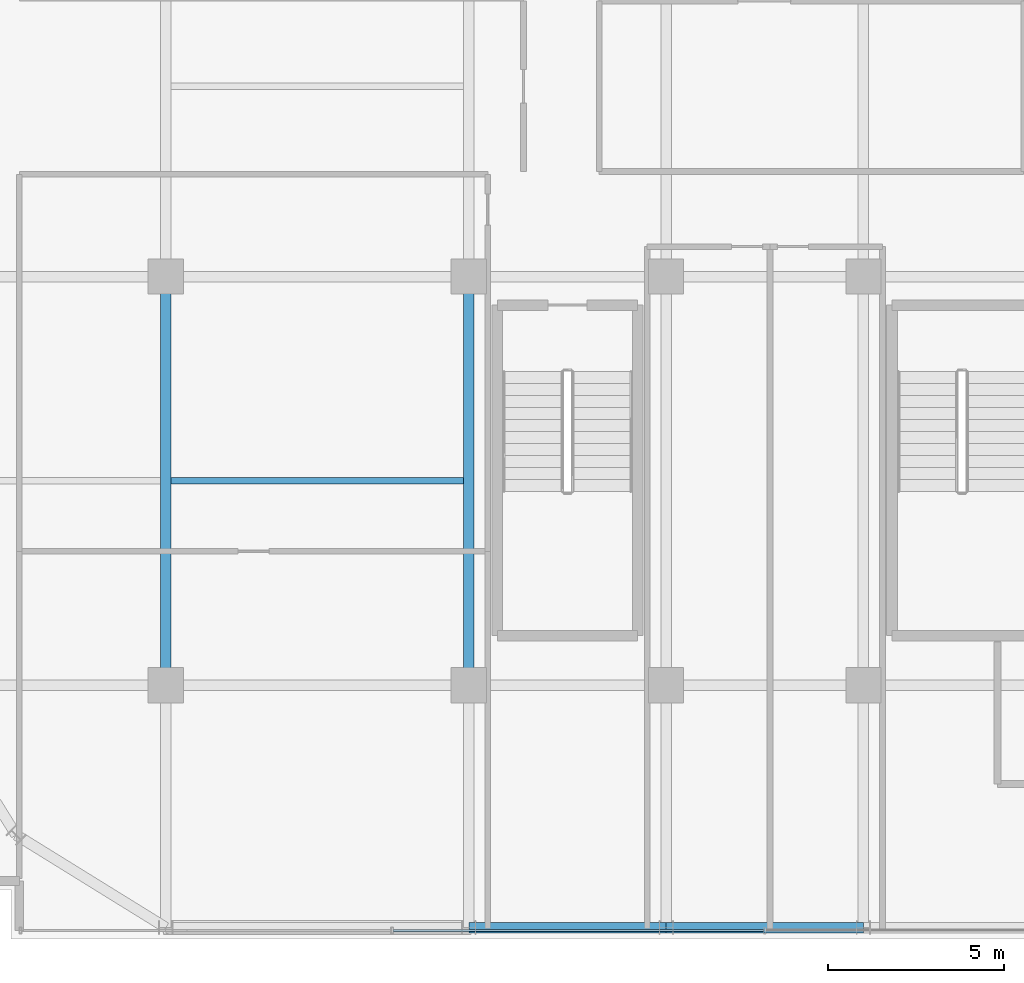
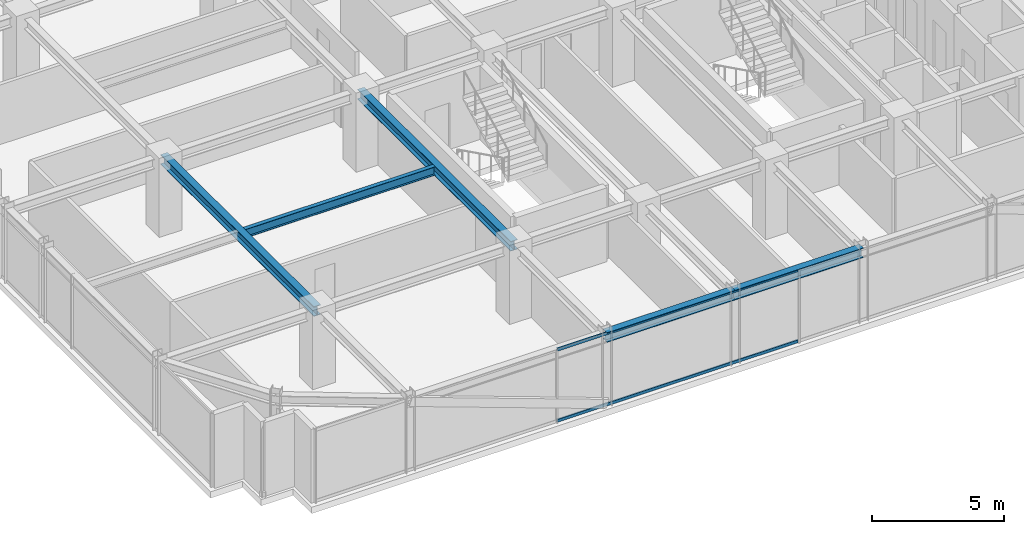
# One storey, part 7 of 42: 5 beams, 2 members, 1 element without a shape of its own.
"""IFC4 building model written with IfcOpenShell, lengths in metres."""

from ifc_helpers import new_model, si_unit, direction, frame, origin, origin_2d, place, context, subcontext, project, spatial, hollow_rectangle, i_section, extrude, source, transform, mapped, material, material_profile, profile_set, type_object, element, aggregate, save


model = new_model("IFC4")

# Units and contexts
model_context = context("Model", 3, precision=1e-05, world=origin(), true_north=direction((0.0, 1.0)))
body_context = subcontext(model_context, "Body", "Model", "MODEL_VIEW")
ifc_project = project(units=[si_unit("LENGTHUNIT", "METRE"), si_unit("AREAUNIT", "SQUARE_METRE"), si_unit("VOLUMEUNIT", "CUBIC_METRE"), si_unit("PLANEANGLEUNIT", "RADIAN"), si_unit("MASSUNIT", "GRAM", prefix="KILO")], contexts=[model_context])

# Site, building, storey
site_placement = place(None, origin())
site = spatial("IfcSite", under=ifc_project, at=site_placement, CompositionType="ELEMENT")
building_placement = place(site_placement, origin())
building = spatial("IfcBuilding", under=site, at=building_placement, Name="Nahalor Promenade Grand Hotel", CompositionType="ELEMENT")
storey_placement = place(building_placement, frame((0.0, 0.0, 249.300048828125)))
storey = spatial("IfcBuildingStorey", under=building, at=storey_placement, Name="L64", CompositionType="ELEMENT", Elevation=249.300048828125)

# Beams
ifc_material_1 = material(Name="Steel S355JR", Category="steel")
ifc_material_profile_1 = material_profile(ifc_material_1, i_section(OverallWidth=0.3, OverallDepth=0.45, WebThickness=0.014, FlangeThickness=0.026, at=origin_2d()), Name="HEB 450")
ifc_profile_set_1 = profile_set([ifc_material_profile_1], Name="Steel S355JR")
beam_type_1 = type_object("IfcBeamType", Name="Beam-Spandrel-HEB450", PredefinedType="SPANDREL", material=ifc_profile_set_1)
shared_shape_1 = source(origin(), body_context, "Body", "SweptSolid", [
    extrude(i_section(OverallWidth=0.3, OverallDepth=0.45, WebThickness=0.014, FlangeThickness=0.026, at=origin_2d()), origin(), (0.0, 0.0, 1.0), 5.599853515625),
])
beam_1_placement = place(storey_placement, frame((-8.39990234375, -23.8798828125, 3.18505859375), z_axis=(1.0, 0.0, 0.0), x_axis=(0.0, 1.0, 0.0)))
element("IfcBeam", 1, at=beam_1_placement, inside=storey, type_object=beam_type_1, Name="BM-L64-SP-S-1", PredefinedType="SPANDREL", context=body_context, shape_type="MappedRepresentation", body=[
    mapped(shared_shape_1, transform((0.0, 0.0, 0.0), scale=1.0)),
])
shared_shape_2 = source(origin(), body_context, "Body", "SweptSolid", [
    extrude(i_section(OverallWidth=0.3, OverallDepth=0.45, WebThickness=0.014, FlangeThickness=0.026, at=origin_2d()), origin(), (0.0, 0.0, 1.0), 5.60009765625),
])
beam_2_placement = place(storey_placement, frame((-2.800048828125, -23.8798828125, 3.18505859375), z_axis=(1.0, 0.0, 0.0), x_axis=(0.0, 1.0, 0.0)))
element("IfcBeam", 2, at=beam_2_placement, inside=storey, type_object=beam_type_1, Name="BM-L64-SP-S-2", PredefinedType="SPANDREL", context=body_context, shape_type="MappedRepresentation", body=[
    mapped(shared_shape_2, transform((0.0, 0.0, 0.0), scale=1.0)),
])
ifc_material_profile_2 = material_profile(ifc_material_1, i_section(OverallWidth=0.3, OverallDepth=0.45, WebThickness=0.014, FlangeThickness=0.026, at=origin_2d()), Name="HEB 450")
ifc_profile_set_2 = profile_set([ifc_material_profile_2], Name="Steel S355JR")
beam_type_2 = type_object("IfcBeamType", Name="Beam-Girder-HEB450", PredefinedType="BEAM", material=ifc_profile_set_2)
shared_shape_3 = source(origin(), body_context, "Body", "SweptSolid", [
    extrude(i_section(OverallWidth=0.3, OverallDepth=0.45, WebThickness=0.014, FlangeThickness=0.026, at=origin_2d()), origin(), (0.0, 0.0, 1.0), 11.60009765625),
])
for number, where, z_axis, x_axis, name in (
    (3, (-17.0, -17.0, 3.18505859375), (0.0, 1.0, 0.0), (-1.0, 0.0, 0.0), "BM-L64-GY-0-1"),
    (4, (-8.39990234375, -17.0, 3.18505859375), (0.0, 1.0, 0.0), (-1.0, 0.0, 0.0), "BM-L64-GY-1-1"),
):
    element("IfcBeam", number, at=place(storey_placement, frame(where, z_axis=z_axis, x_axis=x_axis)), inside=storey, type_object=beam_type_2, Name=name, PredefinedType="BEAM", context=body_context, shape_type="MappedRepresentation", body=[
        mapped(shared_shape_3, transform((0.0, 0.0, 0.0), scale=1.0)),
    ])
ifc_material_profile_3 = material_profile(ifc_material_1, i_section(OverallWidth=0.18, OverallDepth=0.4, WebThickness=0.0086, FlangeThickness=0.0135, at=origin_2d()), Name="IPE 400")
ifc_profile_set_3 = profile_set([ifc_material_profile_3], Name="Steel S355JR")
beam_type_3 = type_object("IfcBeamType", Name="Beam-Joist-IPE400", PredefinedType="JOIST", material=ifc_profile_set_3)
shared_shape_4 = source(origin(), body_context, "Body", "SweptSolid", [
    extrude(i_section(OverallWidth=0.18, OverallDepth=0.4, WebThickness=0.0086, FlangeThickness=0.0135, at=origin_2d()), origin(), (0.0, 0.0, 1.0), 8.300048828125),
])
beam_3_placement = place(storey_placement, frame((-16.85009765625, -11.199951171875, 3.2099609375), z_axis=(1.0, 0.0, 0.0), x_axis=(0.0, 1.0, 0.0)))
element("IfcBeam", 5, at=beam_3_placement, inside=storey, type_object=beam_type_3, Name="BM-L64-JSW-0-1", PredefinedType="JOIST", context=body_context, shape_type="MappedRepresentation", body=[
    mapped(shared_shape_4, transform((0.0, 0.0, 0.0), scale=1.0)),
])

# Curtain wall, members
ifc_material_2 = material(Name="Anodised Bronze Aluminium EN AW-6063 T6", Category="aluminium")
curtain_wall_type = type_object("IfcCurtainWallType", Name="CW2 Typical Hotel Flush Bronze Unitised Curtain Wall", PredefinedType="USERDEFINED", material=ifc_material_2)
curtain_wall_placement = place(storey_placement, origin())
curtain_wall = element("IfcCurtainWall", 6, at=curtain_wall_placement, inside=storey, type_object=curtain_wall_type, Name="L64 Curtain Wall CW-L64-S-1", ObjectType="UNITISED_CURTAIN_WALL", PredefinedType="USERDEFINED")
ifc_material_profile_4 = material_profile(ifc_material_2, hollow_rectangle(XDim=0.065, YDim=0.13, WallThickness=0.004, at=origin_2d()), Name="CWT 65x130x4")
ifc_profile_set_4 = profile_set([ifc_material_profile_4], Name="Anodised Bronze Aluminium EN AW-6063 T6")
member_type = type_object("IfcMemberType", Name="CWT2 Typical Bronze Transom 65x130", PredefinedType="USERDEFINED", material=ifc_profile_set_4)
shared_shape_5 = source(origin(), body_context, "Body", "SweptSolid", [
    extrude(hollow_rectangle(XDim=0.065, YDim=0.13, WallThickness=0.004, at=origin_2d()), origin(), (0.0, 0.0, 1.0), 10.51513671875),
])
member_1_placement = place(storey_placement, frame((-10.547607421875, -23.9599609375, 0.06494140625), z_axis=(1.0, 0.0, 0.0), x_axis=(0.0, 1.0, 0.0)))
member_1 = element("IfcMember", 7, at=member_1_placement, type_object=member_type, Name="CW-L64-S-1 Transom 1-0", ObjectType="TRANSOM", PredefinedType="USERDEFINED", context=body_context, shape_type="MappedRepresentation", body=[
    mapped(shared_shape_5, transform((0.0, 0.0, 0.0), scale=1.0)),
])
member_2_placement = place(storey_placement, frame((-10.547607421875, -23.9599609375, 3.344970703125), z_axis=(1.0, 0.0, 0.0), x_axis=(0.0, 1.0, 0.0)))
member_2 = element("IfcMember", 8, at=member_2_placement, type_object=member_type, Name="CW-L64-S-1 Transom 1-1", ObjectType="TRANSOM", PredefinedType="USERDEFINED", context=body_context, shape_type="MappedRepresentation", body=[
    mapped(shared_shape_5, transform((0.0, 0.0, 0.0), scale=1.0)),
])
aggregate(curtain_wall, [member_1, member_2])

save(model, "model.ifc")
